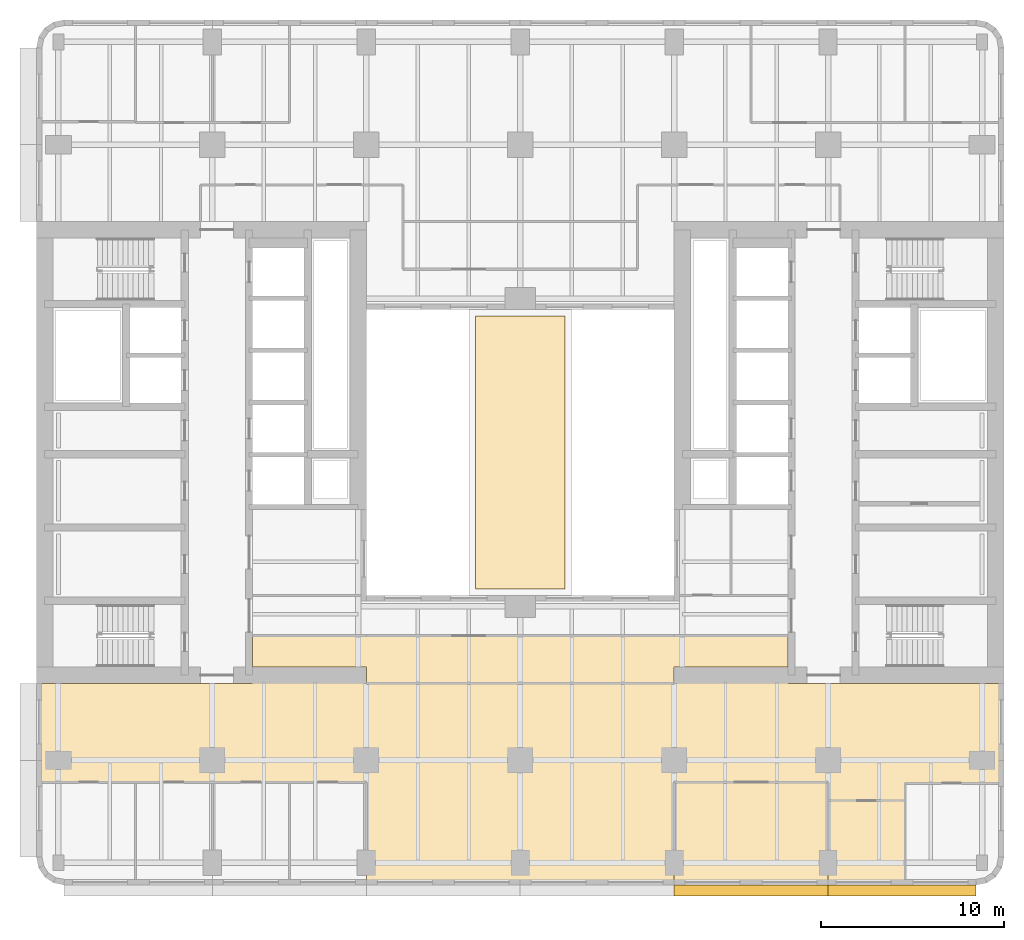
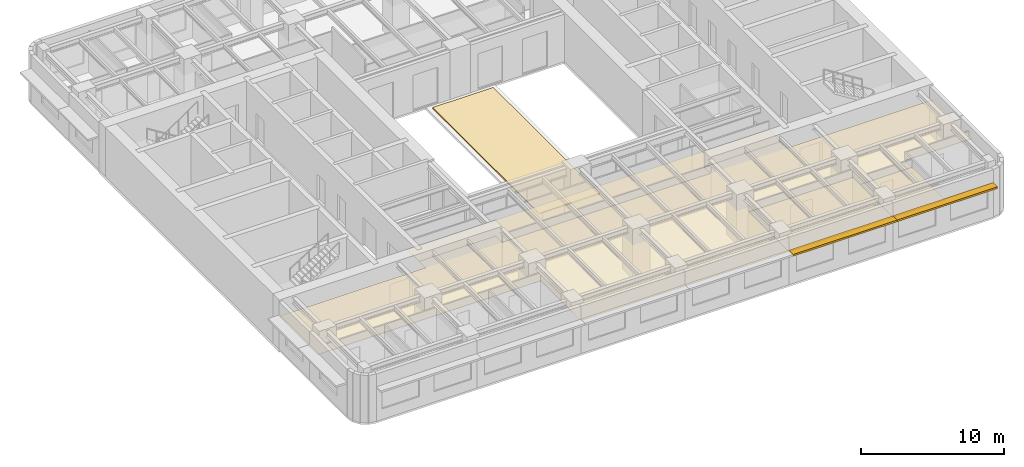
# One storey, part 10 of 14: 5 coverings, 2 shading devices.
"""IFC4 building model written with IfcOpenShell, lengths in metres."""

from ifc_helpers import new_model, si_unit, direction, frame, origin, origin_2d, place, context, subcontext, project, spatial, polyline, rectangle, outline, extrude, material, layer, layer_set, type_object, element, save


model = new_model("IFC4")

# Units and contexts
model_context = context("Model", 3, precision=1e-05, world=origin(), true_north=direction((0.0, 1.0)))
body_context = subcontext(model_context, "Body", "Model", "MODEL_VIEW")
ifc_project = project(units=[si_unit("LENGTHUNIT", "METRE"), si_unit("AREAUNIT", "SQUARE_METRE"), si_unit("VOLUMEUNIT", "CUBIC_METRE"), si_unit("PLANEANGLEUNIT", "RADIAN"), si_unit("MASSUNIT", "GRAM", prefix="KILO")], contexts=[model_context])

# Site, building, storey
site_placement = place(None, origin())
site = spatial("IfcSite", under=ifc_project, at=site_placement, CompositionType="ELEMENT")
building_placement = place(site_placement, origin())
building = spatial("IfcBuilding", under=site, at=building_placement, Name="Claustro Exchange Tower", CompositionType="ELEMENT")
storey_placement = place(building_placement, frame((0.0, 0.0, 100.800048828125)))
storey = spatial("IfcBuildingStorey", under=building, at=storey_placement, Name="L22", CompositionType="ELEMENT", Elevation=100.800048828125)

# Coverings
ifc_material_1 = material(Name="Perforated metal ceiling tiles", Category="steel")
ifc_layer_1 = layer(ifc_material_1, 0.030029296875)
ifc_layer_set_1 = layer_set([ifc_layer_1], Name="Perforated metal ceiling tiles")
covering_type_1 = type_object("IfcCoveringType", Name="CL1 suspended metal ceiling", PredefinedType="CEILING", material=ifc_layer_set_1)
covering_1_placement = place(storey_placement, frame((0.0, 0.0, 2.800048828125)))
element("IfcCovering", 1, at=covering_1_placement, inside=storey, type_object=covering_type_1, Name="Ceiling CL1 L22-08", PredefinedType="CEILING", context=body_context, shape_type="SweptSolid", body=[
    extrude(outline(polyline([(-1.199951171875, 12.60009765625), (-1.199951171875, 7.199951171875), (4.199951171875, 7.199951171875), (8.39990234375, 7.199951171875), (12.60009765625, 7.199951171875), (16.800048828125, 7.199951171875), (16.800048828125, 1.60009765625), (33.60009765625, 1.60009765625), (33.60009765625, 7.199951171875), (42.0, 7.199951171875), (42.0, 6.199951171875), (46.199951171875, 6.199951171875), (46.199951171875, 7.14990234375), (51.60009765625, 7.14990234375), (51.60009765625, 12.60009765625), (39.800048828125, 12.60009765625), (39.800048828125, 13.5), (33.60009765625, 13.5), (33.60009765625, 12.60009765625), (16.800048828125, 12.60009765625), (16.800048828125, 13.5), (10.60009765625, 13.5), (10.60009765625, 12.60009765625), (-1.199951171875, 12.60009765625)])), origin(), (0.0, 0.0, 1.0), 0.02978515625),
])
ifc_material_2 = material(Name="Gypsum board ceiling", Category="gypsum board")
ifc_layer_2 = layer(ifc_material_2, 0.02490234375)
ifc_layer_set_2 = layer_set([ifc_layer_2], Name="Gypsum board ceiling")
covering_type_2 = type_object("IfcCoveringType", Name="CL2 plasterboard ceiling", PredefinedType="CEILING", material=ifc_layer_set_2)
covering_2_placement = place(storey_placement, frame((0.0, 0.0, 2.800048828125)))
element("IfcCovering", 2, at=covering_2_placement, inside=storey, type_object=covering_type_2, Name="Ceiling CL2 L22-01", PredefinedType="CEILING", context=body_context, shape_type="SweptSolid", body=[
    extrude(outline(polyline([(42.0, 1.60009765625), (46.199951171875, 1.60009765625), (46.199951171875, 6.199951171875), (42.0, 6.199951171875), (42.0, 1.60009765625)])), origin(), (0.0, 0.0, 1.0), 0.02490234375),
])
covering_3_placement = place(storey_placement, frame((0.0, 0.0, 2.800048828125)))
element("IfcCovering", 3, at=covering_3_placement, inside=storey, type_object=covering_type_2, Name="Ceiling CL2 L22-06", PredefinedType="CEILING", context=body_context, shape_type="SweptSolid", body=[
    extrude(outline(polyline([(33.60009765625, 1.60009765625), (42.0, 1.60009765625), (42.0, 7.199951171875), (33.60009765625, 7.199951171875), (33.60009765625, 1.60009765625)])), origin(), (0.0, 0.0, 1.0), 0.02490234375),
])
covering_4_placement = place(storey_placement, frame((0.0, 0.0, 2.800048828125)))
element("IfcCovering", 4, at=covering_4_placement, inside=storey, type_object=covering_type_2, Name="Ceiling CL2 L22-09", PredefinedType="CEILING", context=body_context, shape_type="SweptSolid", body=[
    extrude(outline(polyline([(10.60009765625, 15.199951171875), (10.60009765625, 13.5), (16.800048828125, 13.5), (16.800048828125, 12.60009765625), (33.60009765625, 12.60009765625), (33.60009765625, 13.5), (39.800048828125, 13.5), (39.800048828125, 15.199951171875), (33.60009765625, 15.199951171875), (16.800048828125, 15.199951171875), (10.60009765625, 15.199951171875)])), origin(), (0.0, 0.0, 1.0), 0.02490234375),
])
ifc_material_3 = material(Name="Bituminous membrane, insulation, gravel ballast", Category="bitumen")
ifc_layer_3 = layer(ifc_material_3, 0.10009765625)
ifc_layer_set_3 = layer_set([ifc_layer_3], Name="Bituminous membrane, insulation, gravel ballast")
covering_type_3 = type_object("IfcCoveringType", Name="RM1 100 inverted roof membrane and ballast", PredefinedType="ROOFING", material=ifc_layer_set_3)
covering_5_placement = place(storey_placement, origin())
element("IfcCovering", 5, at=covering_5_placement, inside=storey, type_object=covering_type_3, Name="Roof finish RM1 over L21", PredefinedType="ROOFING", context=body_context, shape_type="SweptSolid", body=[
    extrude(outline(polyline([(27.64990234375, 17.75), (27.64990234375, 32.64990234375), (22.75, 32.64990234375), (22.75, 17.75), (27.64990234375, 17.75)])), origin(), (0.0, 0.0, 1.0), 0.099853515625),
])

# Shading devices
ifc_material_4 = material(Name="Concrete HA-40 (C40/50), precast, white cement, acid-etched", Category="concrete")
ifc_layer_4 = layer(ifc_material_4, 0.14990234375)
ifc_layer_set_4 = layer_set([ifc_layer_4], Name="Concrete HA-40 (C40/50), precast, white cement, acid-etched")
shading_device_type = type_object("IfcShadingDeviceType", Name="SS1 600 precast concrete SUNSHADE", PredefinedType="SHUTTER", material=ifc_layer_set_4)
shading_device_1_placement = place(storey_placement, frame((46.04248046875, 1.300048828125, 2.800048828125), z_axis=(0.0, 0.0, 1.0), x_axis=(-1.0, 0.0, 0.0)))
element("IfcShadingDevice", 6, at=shading_device_1_placement, inside=storey, type_object=shading_device_type, Name="Precast SUNSHADE SS1 L22", PredefinedType="SHUTTER", context=body_context, shape_type="SweptSolid", body=[
    extrude(rectangle(XDim=8.085205078125, YDim=0.60009765625, at=origin_2d()), origin(), (0.0, 0.0, 1.0), 0.14990234375),
])
shading_device_2_placement = place(storey_placement, frame((37.800048828125, 1.300048828125, 2.800048828125), z_axis=(0.0, 0.0, 1.0), x_axis=(-1.0, 0.0, 0.0)))
element("IfcShadingDevice", 7, at=shading_device_2_placement, inside=storey, type_object=shading_device_type, Name="Precast SUNSHADE SS1 L22", PredefinedType="SHUTTER", context=body_context, shape_type="SweptSolid", body=[
    extrude(rectangle(XDim=8.39990234375, YDim=0.60009765625, at=origin_2d()), origin(), (0.0, 0.0, 1.0), 0.14990234375),
])

save(model, "model.ifc")
